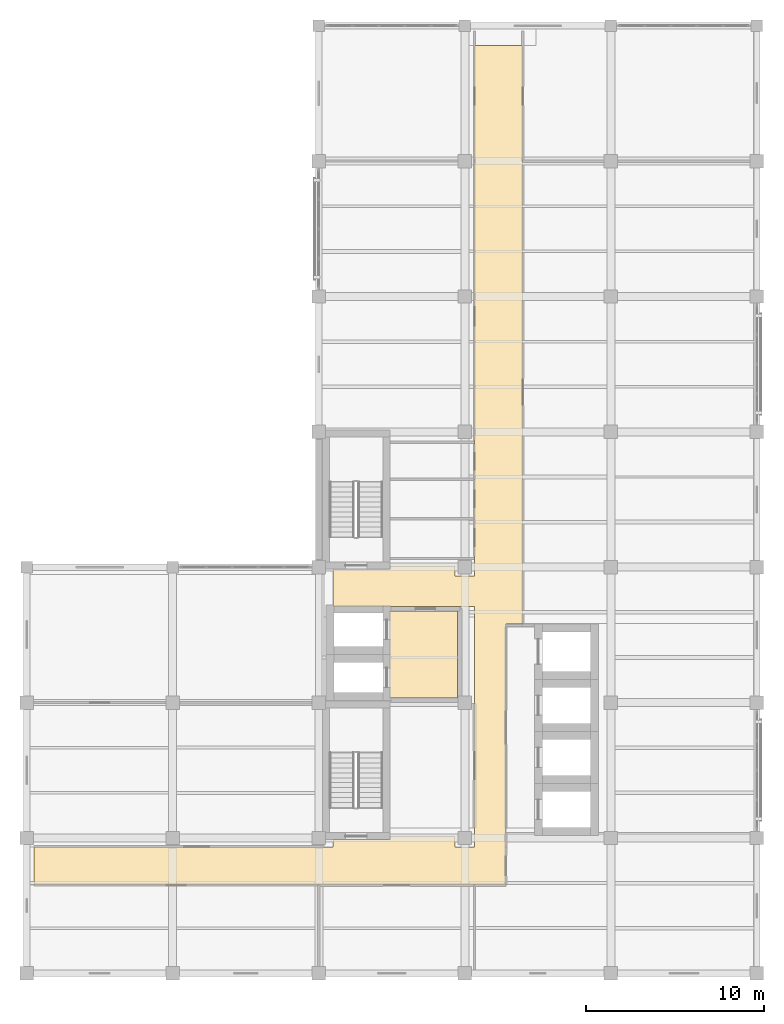
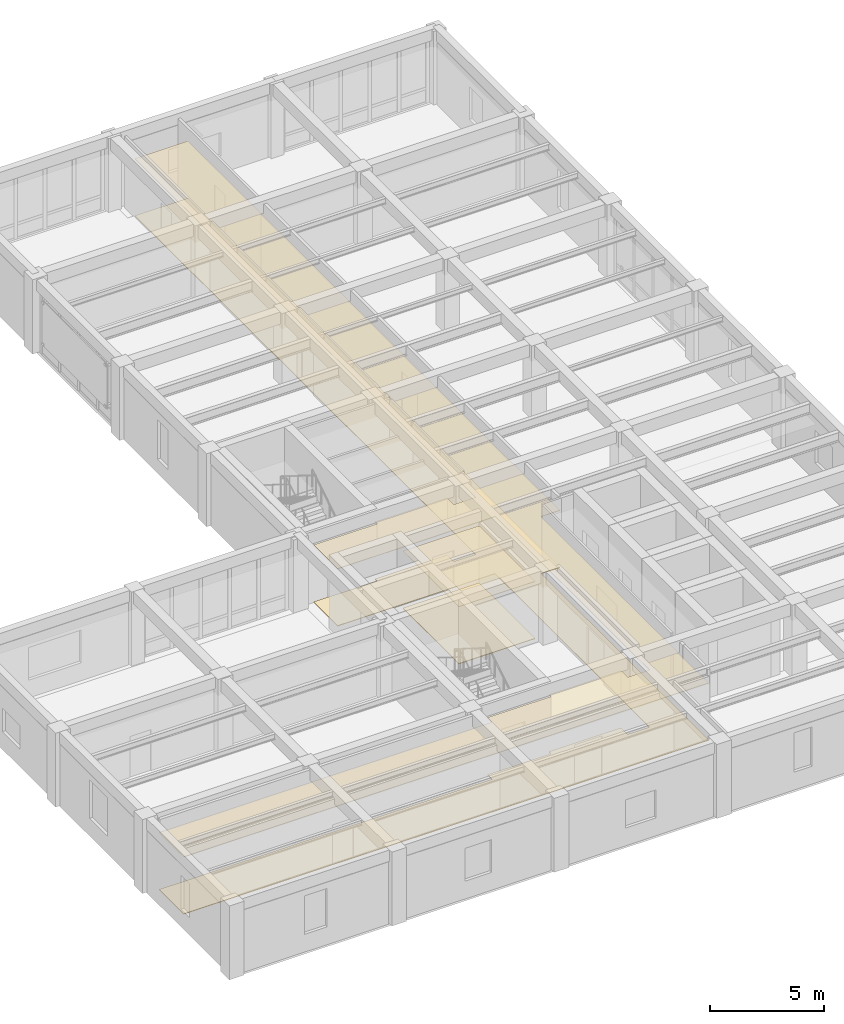
# One storey, part 12 of 14: 4 coverings.
"""IFC4 building model written with IfcOpenShell, lengths in metres."""

import ifcopenshell
import ifcopenshell.guid

model = None  # the IFC model being written
_history = None  # IfcOwnerHistory: only IFC2X3 demands one
_inside = {}  # id of a spatial element -> (the spatial element, [elements in it])
_under = {}  # id of a project, library or spatial element -> (it, [spatial elements below it])
_declared = {}  # id of a project -> (the project, [libraries it declares])
_typed = {}  # id of a type object -> (the type object, [elements of that type])
_made_of = {}  # id of a material, layer set ... -> (it, [elements and type objects made of it])


def new_model(schema):
    """Start an empty IFC model of exactly this schema.

    Asked for "IFC4X3", IfcOpenShell would pick the latest addendum, in which some entities
    have other attributes; the version numbers below select the first issue.
    IFC2X3 requires an IfcOwnerHistory on every rooted entity: one is made here for all.
    """
    global model, _history
    if schema == "IFC4X3":
        model = ifcopenshell.file(schema_version=(4, 3, 0, 0))
    else:
        model = ifcopenshell.file(schema=schema)
    _inside.clear()
    _under.clear()
    _declared.clear()
    _typed.clear()
    _made_of.clear()
    _history = None
    if model.schema == "IFC2X3":
        org = make("IfcOrganization", Name="unknown")
        user = make(
            "IfcPersonAndOrganization",
            ThePerson=make("IfcPerson", FamilyName="unknown"),
            TheOrganization=org,
        )
        app = make(
            "IfcApplication",
            ApplicationDeveloper=org,
            Version="unknown",
            ApplicationFullName="unknown",
            ApplicationIdentifier="unknown",
        )
        _history = make(
            "IfcOwnerHistory",
            OwningUser=user,
            OwningApplication=app,
            ChangeAction="ADDED",
            CreationDate=0,
        )
    return model


def make(cls, **values):
    """One entity of the class cls with the attributes given. An attribute that is None is left unset."""
    return model.create_entity(
        cls, **{name: value for name, value in values.items() if value is not None}
    )


def rooted(cls, **values):
    """An entity with a GlobalId (a new one), such as an element, a storey or a relation."""
    return make(cls, GlobalId=ifcopenshell.guid.new(), OwnerHistory=_history, **values)


def si_unit(unit_type, name, prefix=None):
    """IfcSIUnit, for example si_unit("LENGTHUNIT", "METRE", prefix="MILLI")."""
    return make("IfcSIUnit", UnitType=unit_type, Prefix=prefix, Name=name)


def assignment(units):
    """IfcUnitAssignment: the units of a project."""
    return None if units is None else make("IfcUnitAssignment", Units=units)


def point(xyz):
    """IfcCartesianPoint."""
    return None if xyz is None else make("IfcCartesianPoint", Coordinates=xyz)


def direction(xyz):
    """IfcDirection."""
    return None if xyz is None else make("IfcDirection", DirectionRatios=xyz)


def frame(location, z_axis=None, x_axis=None):
    """IfcAxis2Placement3D, a coordinate frame: its origin and axes. An axis left out is left unset."""
    return make(
        "IfcAxis2Placement3D",
        Location=point(location),
        Axis=direction(z_axis),
        RefDirection=direction(x_axis),
    )


def origin():
    """The frame at (0, 0, 0) with its axes left unset."""
    return frame((0.0, 0.0, 0.0))


def place(relative_to, where):
    """IfcLocalPlacement: puts the frame where relative to a parent placement (None: the world)."""
    return make(
        "IfcLocalPlacement", PlacementRelTo=relative_to, RelativePlacement=where
    )


def context(
    kind, dimensions, precision=None, world=None, true_north=None, identifier=None
):
    """IfcGeometricRepresentationContext, for example the 3D "Model" context."""
    return make(
        "IfcGeometricRepresentationContext",
        ContextIdentifier=identifier,
        ContextType=kind,
        CoordinateSpaceDimension=dimensions,
        Precision=precision,
        WorldCoordinateSystem=world,
        TrueNorth=true_north,
    )


def subcontext(parent, identifier, kind, view, scale=None):
    """IfcGeometricRepresentationSubContext, for example "Body" below "Model"."""
    return make(
        "IfcGeometricRepresentationSubContext",
        ContextIdentifier=identifier,
        ContextType=kind,
        ParentContext=parent,
        TargetScale=scale,
        TargetView=view,
    )


def project(units=None, contexts=None):
    """IfcProject with its units and contexts."""
    return rooted(
        "IfcProject",
        Name="project",
        RepresentationContexts=contexts,
        UnitsInContext=assignment(units),
    )


def spatial(cls, under=None, at=None, **own):
    """A site, building, storey or space (cls), placed at a placement, below another one or the project."""
    s = rooted(cls, ObjectPlacement=at, **own)
    if under is not None:
        _under.setdefault(under.id(), (under, []))[1].append(s)
    return s


def polyline(points):
    """IfcPolyline through the points."""
    return make("IfcPolyline", Points=[point(p) for p in points])


def outline(outer, holes=None, kind="AREA"):
    """IfcArbitraryClosedProfileDef: a profile drawn as a closed curve; with holes, ...WithVoids."""
    if holes is None:
        return make("IfcArbitraryClosedProfileDef", ProfileType=kind, OuterCurve=outer)
    return make(
        "IfcArbitraryProfileDefWithVoids",
        ProfileType=kind,
        OuterCurve=outer,
        InnerCurves=holes,
    )


def extrude(swept, where, along, depth):
    """IfcExtrudedAreaSolid: the profile swept, set in the frame where, extruded along a direction by depth."""
    return make(
        "IfcExtrudedAreaSolid",
        SweptArea=swept,
        Position=where,
        ExtrudedDirection=direction(along),
        Depth=depth,
    )


def shape(context_of_items, identifier, shape_type, items):
    """IfcShapeRepresentation: the items that make up one representation, for example the "Body"."""
    return make(
        "IfcShapeRepresentation",
        ContextOfItems=context_of_items,
        RepresentationIdentifier=identifier,
        RepresentationType=shape_type,
        Items=items,
    )


def material(Name=None, Category=None):
    """IfcMaterial."""
    return make("IfcMaterial", Name=Name, Category=Category)


def layer(
    of_material, thickness, ventilated=None, Name=None, Category=None, Priority=None
):
    """IfcMaterialLayer: one layer of a wall or slab, of a material (None: an air gap)."""
    return make(
        "IfcMaterialLayer",
        Material=of_material,
        LayerThickness=thickness,
        IsVentilated=ventilated,
        Name=Name,
        Category=Category,
        Priority=Priority,
    )


def layer_set(layers, Name=None):
    """IfcMaterialLayerSet."""
    return make("IfcMaterialLayerSet", MaterialLayers=layers, LayerSetName=Name)


def made_of(thing, what):
    """Note that an element or type object is made of a material, layer set ...; save() writes the relation."""
    if what is not None:
        _made_of.setdefault(what.id(), (what, []))[1].append(thing)
    return thing


def type_object(cls, material=None, **own):
    """A type object (cls), such as IfcWallType, which elements share."""
    return made_of(rooted(cls, **own), material)


def element(
    cls,
    number,
    at=None,
    inside=None,
    cuts=None,
    type_object=None,
    material=None,
    context=None,
    identifier="Body",
    shape_type=None,
    held_by="IfcProductDefinitionShape",
    body=None,
    shapes=None,
    **own,
):
    """One element of the class cls, such as IfcWall. Its Tag is "e" and its number.

    at: its placement. inside: the storey or other place that contains it. cuts: it is an
    opening in that element (IfcRelVoidsElement). A single representation is given by context,
    identifier, shape_type and body (its items); several are given by shapes. held_by: the class
    of the entity that holds the representations. save() writes the other relations.
    """
    e = rooted(cls, Tag="e%d" % number, ObjectPlacement=at, **own)
    if body is not None:
        shapes = [shape(context, identifier, shape_type, body)]
    if shapes is not None:
        e.Representation = make(held_by, Representations=shapes)
    if inside is not None:
        _inside.setdefault(inside.id(), (inside, []))[1].append(e)
    if cuts is not None:
        rooted(
            "IfcRelVoidsElement", RelatingBuildingElement=cuts, RelatedOpeningElement=e
        )
    if type_object is not None:
        _typed.setdefault(type_object.id(), (type_object, []))[1].append(e)
    return made_of(e, material)


def aggregate(whole, parts):
    """IfcRelAggregates: a whole, such as a stair, and the parts it consists of."""
    return rooted("IfcRelAggregates", RelatingObject=whole, RelatedObjects=parts)


def save(model, path):
    """Write the relations noted so far, then the file.

    IfcRelAggregates (storeys below a building ...), IfcRelContainedInSpatialStructure (elements
    in a storey), IfcRelDefinesByType, IfcRelAssociatesMaterial and IfcRelDeclares: one each for
    every whole, place, type object, material and project.
    """
    for whole, parts in _under.values():
        aggregate(whole, parts)
    for where, things in _inside.values():
        rooted(
            "IfcRelContainedInSpatialStructure",
            RelatedElements=things,
            RelatingStructure=where,
        )
    for kind, things in _typed.values():
        rooted("IfcRelDefinesByType", RelatedObjects=things, RelatingType=kind)
    for what, things in _made_of.values():
        rooted("IfcRelAssociatesMaterial", RelatedObjects=things, RelatingMaterial=what)
    for by, libraries in _declared.values():
        rooted("IfcRelDeclares", RelatingContext=by, RelatedDefinitions=libraries)
    model.write(path)


model = new_model("IFC4")

# Units and contexts
model_context = context("Model", 3, precision=1e-05, world=origin(), true_north=direction((0.0, 1.0)))
body_context = subcontext(model_context, "Body", "Model", "MODEL_VIEW")
ifc_project = project(units=[si_unit("LENGTHUNIT", "METRE"), si_unit("AREAUNIT", "SQUARE_METRE"), si_unit("VOLUMEUNIT", "CUBIC_METRE"), si_unit("PLANEANGLEUNIT", "RADIAN"), si_unit("MASSUNIT", "GRAM", prefix="KILO")], contexts=[model_context])

# Site, building, storey
site_placement = place(None, origin())
site = spatial("IfcSite", under=ifc_project, at=site_placement, CompositionType="ELEMENT")
building_placement = place(site_placement, origin())
building = spatial("IfcBuilding", under=site, at=building_placement, Name="Qandaris Square Conservatory and Botanical Centre", CompositionType="ELEMENT")
storey_placement = place(building_placement, frame((0.0, 0.0, 49.199951171875)))
storey = spatial("IfcBuildingStorey", under=building, at=storey_placement, Name="L11", CompositionType="ELEMENT", Elevation=49.199951171875)

# Coverings
ifc_material_1 = material(Name="Honed Qatari Limestone", Category="masonry")
ifc_layer_1 = layer(ifc_material_1, 0.030029296875)
ifc_layer_set_1 = layer_set([ifc_layer_1], Name="Honed Qatari Limestone")
covering_type_1 = type_object("IfcCoveringType", Name="Honed Qatari Limestone Concourse Paving", PredefinedType="FLOORING", material=ifc_layer_set_1)
covering_1_placement = place(storey_placement, origin())
element("IfcCovering", 1, at=covering_1_placement, inside=storey, type_object=covering_type_1, Name="Firefighting Lift Lobby L11 Flooring", PredefinedType="FLOORING", context=body_context, shape_type="SweptSolid", body=[
    extrude(outline(polyline([(143.14990234375, 36.949951171875), (147.0, 36.949951171875), (147.0, 32.050048828125), (143.14990234375, 32.050048828125), (143.14990234375, 36.949951171875)])), origin(), (0.0, 0.0, 1.0), 0.030029296875),
])
covering_2_placement = place(storey_placement, origin())
element("IfcCovering", 2, at=covering_2_placement, inside=storey, type_object=covering_type_1, Name="Main Circulation Corridor L11 Flooring", PredefinedType="FLOORING", context=body_context, shape_type="SweptSolid", body=[
    extrude(outline(polyline([(140.0, 24.10009765625), (143.199951171875, 24.10009765625), (143.199951171875, 24.280029296875), (146.85009765625, 24.280029296875), (146.85009765625, 23.699951171875), (147.949951171875, 23.699951171875), (147.949951171875, 24.75), (147.949951171875, 31.75), (147.949951171875, 36.199951171875), (147.949951171875, 37.199951171875), (140.0, 37.199951171875), (140.0, 38.89990234375), (140.0, 39.300048828125), (143.199951171875, 39.300048828125), (143.199951171875, 39.47998046875), (146.85009765625, 39.47998046875), (146.85009765625, 38.89990234375), (147.949951171875, 38.89990234375), (147.949951171875, 39.89990234375), (147.949951171875, 42.1201171875), (147.949951171875, 44.340087890625), (147.949951171875, 46.419921875), (147.949951171875, 68.699951171875), (150.64990234375, 68.699951171875), (150.64990234375, 36.199951171875), (149.699951171875, 36.199951171875), (149.699951171875, 36.050048828125), (149.699951171875, 24.75), (149.699951171875, 23.699951171875), (149.699951171875, 21.550048828125), (147.949951171875, 21.550048828125), (123.199951171875, 21.550048828125), (123.199951171875, 23.699951171875), (140.0, 23.699951171875), (140.0, 24.10009765625)])), origin(), (0.0, 0.0, 1.0), 0.030029296875),
])
ifc_material_2 = material(Name="Gypsum Plasterboard", Category="gypsum")
ifc_layer_2 = layer(ifc_material_2, 0.02490234375)
ifc_layer_set_2 = layer_set([ifc_layer_2], Name="Gypsum Plasterboard")
covering_type_2 = type_object("IfcCoveringType", Name="Perforated Acoustic Lab Ceiling Tile", PredefinedType="CEILING", material=ifc_layer_set_2)
covering_3_placement = place(storey_placement, frame((0.0, 0.0, 3.050048828125)))
element("IfcCovering", 3, at=covering_3_placement, inside=storey, type_object=covering_type_2, Name="Firefighting Lift Lobby L11 Ceiling", PredefinedType="CEILING", context=body_context, shape_type="SweptSolid", body=[
    extrude(outline(polyline([(143.14990234375, 36.949951171875), (147.0, 36.949951171875), (147.0, 32.050048828125), (143.14990234375, 32.050048828125), (143.14990234375, 36.949951171875)])), origin(), (0.0, 0.0, 1.0), 0.02490234375),
])
covering_4_placement = place(storey_placement, frame((0.0, 0.0, 3.050048828125)))
element("IfcCovering", 4, at=covering_4_placement, inside=storey, type_object=covering_type_2, Name="Main Circulation Corridor L11 Ceiling", PredefinedType="CEILING", context=body_context, shape_type="SweptSolid", body=[
    extrude(outline(polyline([(140.0, 24.10009765625), (143.199951171875, 24.10009765625), (143.199951171875, 24.280029296875), (146.85009765625, 24.280029296875), (146.85009765625, 23.699951171875), (147.949951171875, 23.699951171875), (147.949951171875, 24.75), (147.949951171875, 31.75), (147.949951171875, 36.199951171875), (147.949951171875, 37.199951171875), (140.0, 37.199951171875), (140.0, 38.89990234375), (140.0, 39.300048828125), (143.199951171875, 39.300048828125), (143.199951171875, 39.47998046875), (146.85009765625, 39.47998046875), (146.85009765625, 38.89990234375), (147.949951171875, 38.89990234375), (147.949951171875, 39.89990234375), (147.949951171875, 42.1201171875), (147.949951171875, 44.340087890625), (147.949951171875, 46.419921875), (147.949951171875, 68.699951171875), (150.64990234375, 68.699951171875), (150.64990234375, 36.199951171875), (149.699951171875, 36.199951171875), (149.699951171875, 36.050048828125), (149.699951171875, 24.75), (149.699951171875, 23.699951171875), (149.699951171875, 21.550048828125), (147.949951171875, 21.550048828125), (123.199951171875, 21.550048828125), (123.199951171875, 23.699951171875), (140.0, 23.699951171875), (140.0, 24.10009765625)])), origin(), (0.0, 0.0, 1.0), 0.02490234375),
])

save(model, "model.ifc")
